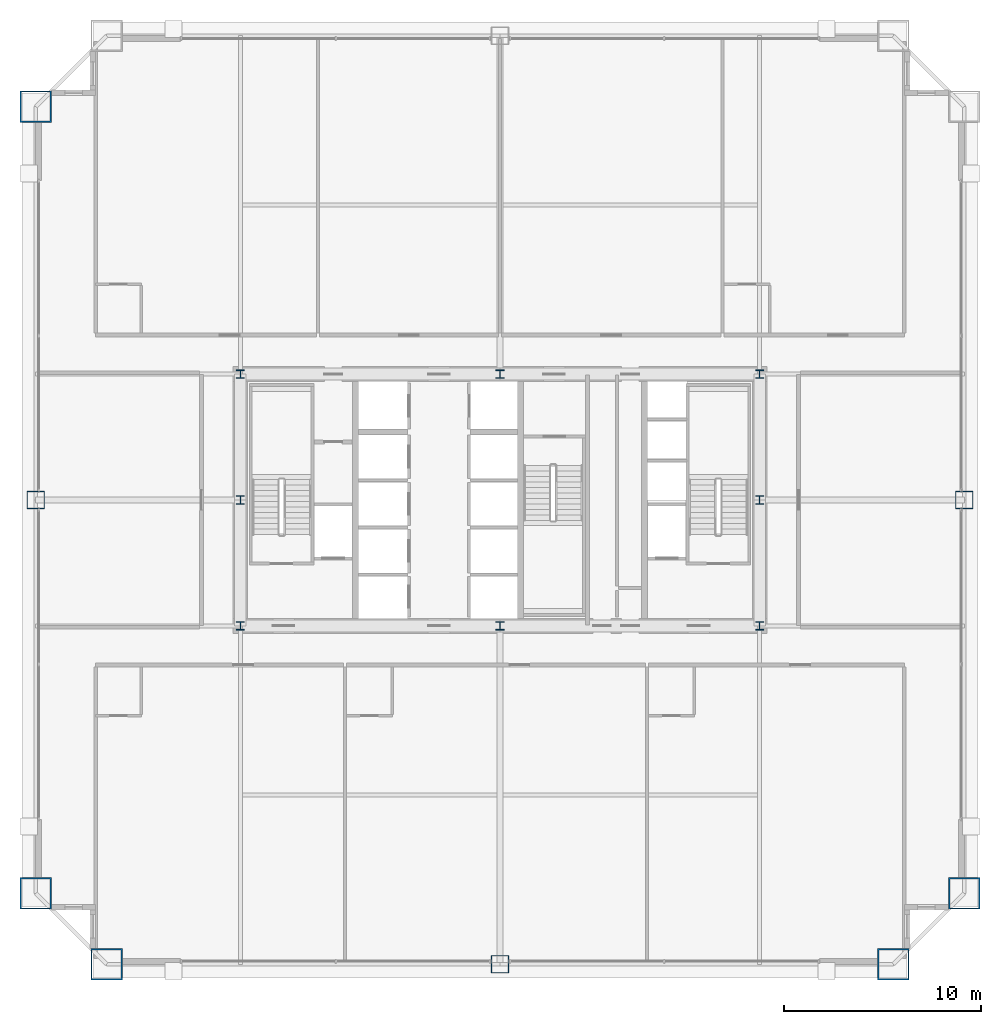
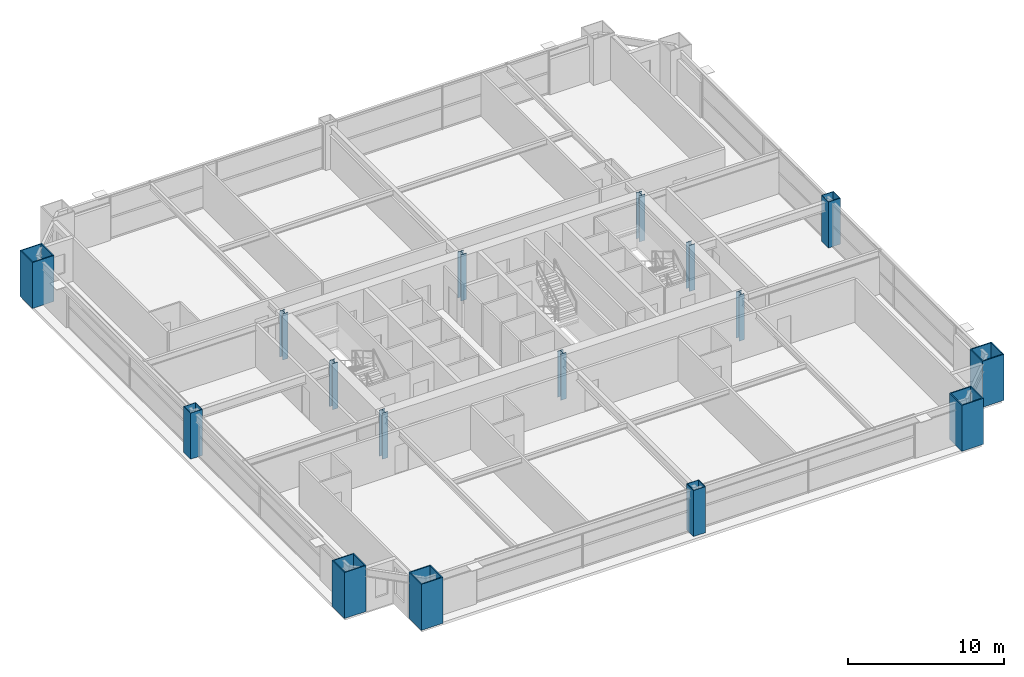
# One storey, part 1 of 37: 16 columns.
"""IFC4 building model written with IfcOpenShell, lengths in metres."""

import ifcopenshell
import ifcopenshell.guid

model = None  # the IFC model being written
_history = None  # IfcOwnerHistory: only IFC2X3 demands one
_inside = {}  # id of a spatial element -> (the spatial element, [elements in it])
_under = {}  # id of a project, library or spatial element -> (it, [spatial elements below it])
_declared = {}  # id of a project -> (the project, [libraries it declares])
_typed = {}  # id of a type object -> (the type object, [elements of that type])
_made_of = {}  # id of a material, layer set ... -> (it, [elements and type objects made of it])


def new_model(schema):
    """Start an empty IFC model of exactly this schema.

    Asked for "IFC4X3", IfcOpenShell would pick the latest addendum, in which some entities
    have other attributes; the version numbers below select the first issue.
    IFC2X3 requires an IfcOwnerHistory on every rooted entity: one is made here for all.
    """
    global model, _history
    if schema == "IFC4X3":
        model = ifcopenshell.file(schema_version=(4, 3, 0, 0))
    else:
        model = ifcopenshell.file(schema=schema)
    _inside.clear()
    _under.clear()
    _declared.clear()
    _typed.clear()
    _made_of.clear()
    _history = None
    if model.schema == "IFC2X3":
        org = make("IfcOrganization", Name="unknown")
        user = make(
            "IfcPersonAndOrganization",
            ThePerson=make("IfcPerson", FamilyName="unknown"),
            TheOrganization=org,
        )
        app = make(
            "IfcApplication",
            ApplicationDeveloper=org,
            Version="unknown",
            ApplicationFullName="unknown",
            ApplicationIdentifier="unknown",
        )
        _history = make(
            "IfcOwnerHistory",
            OwningUser=user,
            OwningApplication=app,
            ChangeAction="ADDED",
            CreationDate=0,
        )
    return model


def make(cls, **values):
    """One entity of the class cls with the attributes given. An attribute that is None is left unset."""
    return model.create_entity(
        cls, **{name: value for name, value in values.items() if value is not None}
    )


def rooted(cls, **values):
    """An entity with a GlobalId (a new one), such as an element, a storey or a relation."""
    return make(cls, GlobalId=ifcopenshell.guid.new(), OwnerHistory=_history, **values)


def si_unit(unit_type, name, prefix=None):
    """IfcSIUnit, for example si_unit("LENGTHUNIT", "METRE", prefix="MILLI")."""
    return make("IfcSIUnit", UnitType=unit_type, Prefix=prefix, Name=name)


def assignment(units):
    """IfcUnitAssignment: the units of a project."""
    return None if units is None else make("IfcUnitAssignment", Units=units)


def point(xyz):
    """IfcCartesianPoint."""
    return None if xyz is None else make("IfcCartesianPoint", Coordinates=xyz)


def direction(xyz):
    """IfcDirection."""
    return None if xyz is None else make("IfcDirection", DirectionRatios=xyz)


def frame(location, z_axis=None, x_axis=None):
    """IfcAxis2Placement3D, a coordinate frame: its origin and axes. An axis left out is left unset."""
    return make(
        "IfcAxis2Placement3D",
        Location=point(location),
        Axis=direction(z_axis),
        RefDirection=direction(x_axis),
    )


def frame_2d(location, x_axis=None):
    """IfcAxis2Placement2D, a coordinate frame in the plane: its origin and x axis."""
    return make(
        "IfcAxis2Placement2D", Location=point(location), RefDirection=direction(x_axis)
    )


def origin():
    """The frame at (0, 0, 0) with its axes left unset."""
    return frame((0.0, 0.0, 0.0))


def origin_2d():
    """The frame at (0, 0) in the plane with its x axis left unset."""
    return frame_2d((0.0, 0.0))


def place(relative_to, where):
    """IfcLocalPlacement: puts the frame where relative to a parent placement (None: the world)."""
    return make(
        "IfcLocalPlacement", PlacementRelTo=relative_to, RelativePlacement=where
    )


def context(
    kind, dimensions, precision=None, world=None, true_north=None, identifier=None
):
    """IfcGeometricRepresentationContext, for example the 3D "Model" context."""
    return make(
        "IfcGeometricRepresentationContext",
        ContextIdentifier=identifier,
        ContextType=kind,
        CoordinateSpaceDimension=dimensions,
        Precision=precision,
        WorldCoordinateSystem=world,
        TrueNorth=true_north,
    )


def subcontext(parent, identifier, kind, view, scale=None):
    """IfcGeometricRepresentationSubContext, for example "Body" below "Model"."""
    return make(
        "IfcGeometricRepresentationSubContext",
        ContextIdentifier=identifier,
        ContextType=kind,
        ParentContext=parent,
        TargetScale=scale,
        TargetView=view,
    )


def project(units=None, contexts=None):
    """IfcProject with its units and contexts."""
    return rooted(
        "IfcProject",
        Name="project",
        RepresentationContexts=contexts,
        UnitsInContext=assignment(units),
    )


def spatial(cls, under=None, at=None, **own):
    """A site, building, storey or space (cls), placed at a placement, below another one or the project."""
    s = rooted(cls, ObjectPlacement=at, **own)
    if under is not None:
        _under.setdefault(under.id(), (under, []))[1].append(s)
    return s


def profile(cls, at=None, kind="AREA", **sizes):
    """A parametric profile (cls). Its sizes go by their IFC names, for example OverallWidth=200.0."""
    return make(cls, ProfileType=kind, Position=at, **sizes)


def hollow_rectangle(**sizes):
    """IfcRectangleHollowProfileDef."""
    return profile("IfcRectangleHollowProfileDef", **sizes)


def i_section(**sizes):
    """IfcIShapeProfileDef."""
    return profile("IfcIShapeProfileDef", **sizes)


def extrude(swept, where, along, depth):
    """IfcExtrudedAreaSolid: the profile swept, set in the frame where, extruded along a direction by depth."""
    return make(
        "IfcExtrudedAreaSolid",
        SweptArea=swept,
        Position=where,
        ExtrudedDirection=direction(along),
        Depth=depth,
    )


def shape(context_of_items, identifier, shape_type, items):
    """IfcShapeRepresentation: the items that make up one representation, for example the "Body"."""
    return make(
        "IfcShapeRepresentation",
        ContextOfItems=context_of_items,
        RepresentationIdentifier=identifier,
        RepresentationType=shape_type,
        Items=items,
    )


def source(mapping_origin, context_of_items, identifier, shape_type, items):
    """IfcRepresentationMap: a shape defined once, which mapped items show again and again."""
    return make(
        "IfcRepresentationMap",
        MappingOrigin=mapping_origin,
        MappedRepresentation=shape(context_of_items, identifier, shape_type, items),
    )


def transform(
    local_origin,
    x_axis=None,
    y_axis=None,
    z_axis=None,
    scale=None,
    scale2=None,
    scale3=None,
    uniform=True,
):
    """IfcCartesianTransformationOperator3D, or its non-uniform kind. x_axis, y_axis, z_axis: its Axis1, 2, 3."""
    if uniform:
        return make(
            "IfcCartesianTransformationOperator3D",
            Axis1=direction(x_axis),
            Axis2=direction(y_axis),
            LocalOrigin=point(local_origin),
            Scale=scale,
            Axis3=direction(z_axis),
        )
    return make(
        "IfcCartesianTransformationOperator3DnonUniform",
        Axis1=direction(x_axis),
        Axis2=direction(y_axis),
        LocalOrigin=point(local_origin),
        Scale=scale,
        Axis3=direction(z_axis),
        Scale2=scale2,
        Scale3=scale3,
    )


def mapped(mapping_source, mapping_target):
    """IfcMappedItem: shows the shape of a source again, moved by a transform."""
    return make(
        "IfcMappedItem", MappingSource=mapping_source, MappingTarget=mapping_target
    )


def material(Name=None, Category=None):
    """IfcMaterial."""
    return make("IfcMaterial", Name=Name, Category=Category)


def material_profile(
    of_material, cross_section, Name=None, Category=None, Priority=None
):
    """IfcMaterialProfile: a cross section and its material."""
    return make(
        "IfcMaterialProfile",
        Name=Name,
        Material=of_material,
        Profile=cross_section,
        Priority=Priority,
        Category=Category,
    )


def profile_set(profiles, Name=None, composite=None):
    """IfcMaterialProfileSet."""
    return make(
        "IfcMaterialProfileSet",
        Name=Name,
        MaterialProfiles=profiles,
        CompositeProfile=composite,
    )


def made_of(thing, what):
    """Note that an element or type object is made of a material, layer set ...; save() writes the relation."""
    if what is not None:
        _made_of.setdefault(what.id(), (what, []))[1].append(thing)
    return thing


def type_object(cls, material=None, **own):
    """A type object (cls), such as IfcWallType, which elements share."""
    return made_of(rooted(cls, **own), material)


def element(
    cls,
    number,
    at=None,
    inside=None,
    cuts=None,
    type_object=None,
    material=None,
    context=None,
    identifier="Body",
    shape_type=None,
    held_by="IfcProductDefinitionShape",
    body=None,
    shapes=None,
    **own,
):
    """One element of the class cls, such as IfcWall. Its Tag is "e" and its number.

    at: its placement. inside: the storey or other place that contains it. cuts: it is an
    opening in that element (IfcRelVoidsElement). A single representation is given by context,
    identifier, shape_type and body (its items); several are given by shapes. held_by: the class
    of the entity that holds the representations. save() writes the other relations.
    """
    e = rooted(cls, Tag="e%d" % number, ObjectPlacement=at, **own)
    if body is not None:
        shapes = [shape(context, identifier, shape_type, body)]
    if shapes is not None:
        e.Representation = make(held_by, Representations=shapes)
    if inside is not None:
        _inside.setdefault(inside.id(), (inside, []))[1].append(e)
    if cuts is not None:
        rooted(
            "IfcRelVoidsElement", RelatingBuildingElement=cuts, RelatedOpeningElement=e
        )
    if type_object is not None:
        _typed.setdefault(type_object.id(), (type_object, []))[1].append(e)
    return made_of(e, material)


def aggregate(whole, parts):
    """IfcRelAggregates: a whole, such as a stair, and the parts it consists of."""
    return rooted("IfcRelAggregates", RelatingObject=whole, RelatedObjects=parts)


def save(model, path):
    """Write the relations noted so far, then the file.

    IfcRelAggregates (storeys below a building ...), IfcRelContainedInSpatialStructure (elements
    in a storey), IfcRelDefinesByType, IfcRelAssociatesMaterial and IfcRelDeclares: one each for
    every whole, place, type object, material and project.
    """
    for whole, parts in _under.values():
        aggregate(whole, parts)
    for where, things in _inside.values():
        rooted(
            "IfcRelContainedInSpatialStructure",
            RelatedElements=things,
            RelatingStructure=where,
        )
    for kind, things in _typed.values():
        rooted("IfcRelDefinesByType", RelatedObjects=things, RelatingType=kind)
    for what, things in _made_of.values():
        rooted("IfcRelAssociatesMaterial", RelatedObjects=things, RelatingMaterial=what)
    for by, libraries in _declared.values():
        rooted("IfcRelDeclares", RelatingContext=by, RelatedDefinitions=libraries)
    model.write(path)


model = new_model("IFC4")

# Units and contexts
model_context = context("Model", 3, precision=1e-05, world=origin(), true_north=direction((0.0, 1.0)))
body_context = subcontext(model_context, "Body", "Model", "MODEL_VIEW")
ifc_project = project(units=[si_unit("LENGTHUNIT", "METRE"), si_unit("AREAUNIT", "SQUARE_METRE"), si_unit("VOLUMEUNIT", "CUBIC_METRE"), si_unit("PLANEANGLEUNIT", "RADIAN"), si_unit("MASSUNIT", "GRAM", prefix="KILO"), si_unit("THERMODYNAMICTEMPERATUREUNIT", "KELVIN"), si_unit("POWERUNIT", "WATT")], contexts=[model_context])

# Site, building, storey
site_placement = place(None, origin())
site = spatial("IfcSite", under=ifc_project, at=site_placement, CompositionType="ELEMENT")
building_placement = place(site_placement, origin())
building = spatial("IfcBuilding", under=site, at=building_placement, Name="Yuzanri Waterfront Tower", CompositionType="ELEMENT")
storey_placement = place(building_placement, frame((0.0, 0.0, 104.60009765625)))
storey = spatial("IfcBuildingStorey", under=building, at=storey_placement, Name="L27", CompositionType="ELEMENT", Elevation=104.60009765625)

# Columns
ifc_material_1 = material(Name="Steel Q355B", Category="steel")
ifc_material_profile_1 = material_profile(ifc_material_1, i_section(OverallWidth=0.406982421875, OverallDepth=0.427978515625, WebThickness=0.02001953125, FlangeThickness=0.034912109375, at=origin_2d()), Name="HW 428x407x20x35")
ifc_profile_set_1 = profile_set([ifc_material_profile_1], Name="Steel Q355B")
column_type_1 = type_object("IfcColumnType", Name="Core Post Q355B HW 428x407x20x35", PredefinedType="COLUMN", material=ifc_profile_set_1)
shared_shape_1 = source(origin(), body_context, "Body", "SweptSolid", [
    extrude(i_section(OverallWidth=0.406982421875, OverallDepth=0.427978515625, WebThickness=0.02001953125, FlangeThickness=0.034912109375, at=origin_2d()), origin(), (0.0, 0.0, 1.0), 3.599853515625),
])
for number, where, z_axis, x_axis, name in (
    (1, (23.800048828125, 19.39990234375, 0.0), (0.0, 0.0, 1.0), (1.0, 0.0, 0.0), "L27 Core Boundary Column CP1"),
    (2, (37.0, 19.39990234375, 0.0), (0.0, 0.0, 1.0), (1.0, 0.0, 0.0), "L27 Core Boundary Column CP2"),
    (3, (50.199951171875, 19.39990234375, 0.0), (0.0, 0.0, 1.0), (1.0, 0.0, 0.0), "L27 Core Boundary Column CP3"),
    (4, (23.800048828125, 25.800048828125, 0.0), (0.0, 0.0, 1.0), (1.0, 0.0, 0.0), "L27 Core Boundary Column CP4"),
    (5, (50.199951171875, 25.800048828125, 0.0), (0.0, 0.0, 1.0), (1.0, 0.0, 0.0), "L27 Core Boundary Column CP5"),
    (6, (23.800048828125, 32.199951171875, 0.0), (0.0, 0.0, 1.0), (1.0, 0.0, 0.0), "L27 Core Boundary Column CP6"),
    (7, (37.0, 32.199951171875, 0.0), (0.0, 0.0, 1.0), (1.0, 0.0, 0.0), "L27 Core Boundary Column CP7"),
    (8, (50.199951171875, 32.199951171875, 0.0), (0.0, 0.0, 1.0), (1.0, 0.0, 0.0), "L27 Core Boundary Column CP8"),
):
    element("IfcColumn", number, at=place(storey_placement, frame(where, z_axis=z_axis, x_axis=x_axis)), inside=storey, type_object=column_type_1, Name=name, PredefinedType="COLUMN", context=body_context, shape_type="MappedRepresentation", body=[
        mapped(shared_shape_1, transform((0.0, 0.0, 0.0), scale=1.0)),
    ])
ifc_material_2 = material(Name="Steel Q390GJC", Category="steel")
ifc_material_profile_2 = material_profile(ifc_material_2, hollow_rectangle(XDim=0.89990234375, YDim=0.89990234375, WallThickness=0.0419921875, at=origin_2d()), Name="RHS 900x900x42")
ifc_profile_set_2 = profile_set([ifc_material_profile_2], Name="Steel Q390GJC")
column_type_2 = type_object("IfcColumnType", Name="Frame Column Q390GJC RHS 900x900x42", PredefinedType="COLUMN", material=ifc_profile_set_2)
shared_shape_2 = source(origin(), body_context, "Body", "SweptSolid", [
    extrude(hollow_rectangle(XDim=0.89990234375, YDim=0.89990234375, WallThickness=0.0419921875, at=origin_2d()), origin(), (0.0, 0.0, 1.0), 3.599853515625),
])
for number, where, z_axis, x_axis, name in (
    (9, (37.0, 2.199951171875, 0.0), (0.0, 0.0, 1.0), (1.0, 0.0, 0.0), "L27 Perimeter Frame Column S2"),
    (10, (13.39990234375, 25.800048828125, 0.0), (0.0, 0.0, 1.0), (1.0, 0.0, 0.0), "L27 Perimeter Frame Column W2"),
    (11, (60.60009765625, 25.800048828125, 0.0), (0.0, 0.0, 1.0), (1.0, 0.0, 0.0), "L27 Perimeter Frame Column E2"),
):
    element("IfcColumn", number, at=place(storey_placement, frame(where, z_axis=z_axis, x_axis=x_axis)), inside=storey, type_object=column_type_2, Name=name, PredefinedType="COLUMN", context=body_context, shape_type="MappedRepresentation", body=[
        mapped(shared_shape_2, transform((0.0, 0.0, 0.0), scale=1.0)),
    ])
ifc_material_3 = material(Name="Steel Q420GJC", Category="steel")
ifc_material_profile_3 = material_profile(ifc_material_3, hollow_rectangle(XDim=1.60009765625, YDim=1.60009765625, WallThickness=0.070068359375, at=origin_2d()), Name="RHS 1600x1600x70")
ifc_profile_set_3 = profile_set([ifc_material_profile_3], Name="Steel Q420GJC")
column_type_3 = type_object("IfcColumnType", Name="Mega Column Q420GJC RHS 1600x1600x70", PredefinedType="COLUMN", material=ifc_profile_set_3)
shared_shape_3 = source(origin(), body_context, "Body", "SweptSolid", [
    extrude(hollow_rectangle(XDim=1.60009765625, YDim=1.60009765625, WallThickness=0.070068359375, at=origin_2d()), origin(), (0.0, 0.0, 1.0), 3.599853515625),
])
for number, where, z_axis, x_axis, name in (
    (12, (17.0, 2.199951171875, 0.0), (0.0, 0.0, 1.0), (1.0, 0.0, 0.0), "L27 Perimeter Mega Column S1"),
    (13, (57.0, 2.199951171875, 0.0), (0.0, 0.0, 1.0), (1.0, 0.0, 0.0), "L27 Perimeter Mega Column S3"),
    (14, (13.39990234375, 5.800048828125, 0.0), (0.0, 0.0, 1.0), (1.0, 0.0, 0.0), "L27 Perimeter Mega Column W1"),
    (15, (13.39990234375, 45.800048828125, 0.0), (0.0, 0.0, 1.0), (1.0, 0.0, 0.0), "L27 Perimeter Mega Column W3"),
    (16, (60.60009765625, 5.800048828125, 0.0), (0.0, 0.0, 1.0), (1.0, 0.0, 0.0), "L27 Perimeter Mega Column E1"),
):
    element("IfcColumn", number, at=place(storey_placement, frame(where, z_axis=z_axis, x_axis=x_axis)), inside=storey, type_object=column_type_3, Name=name, PredefinedType="COLUMN", context=body_context, shape_type="MappedRepresentation", body=[
        mapped(shared_shape_3, transform((0.0, 0.0, 0.0), scale=1.0)),
    ])

save(model, "model.ifc")
